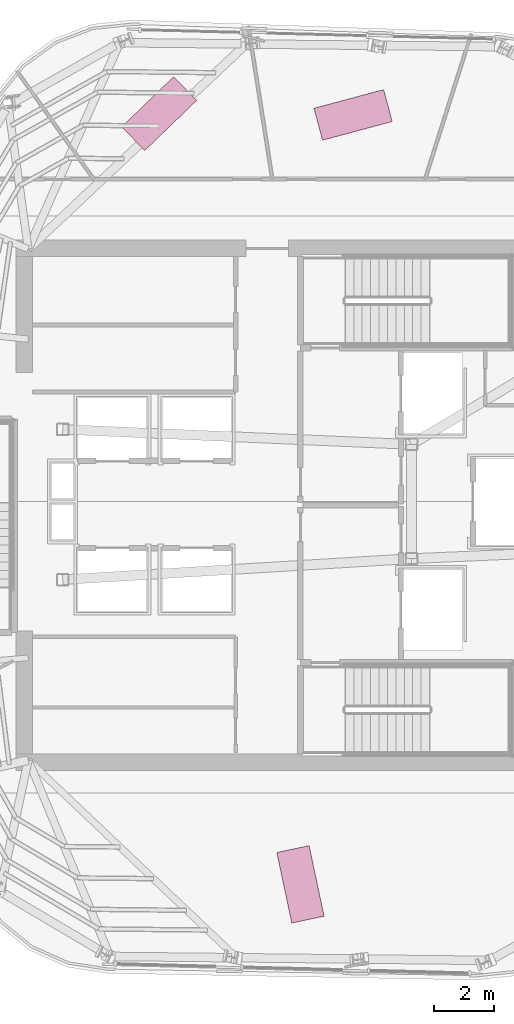
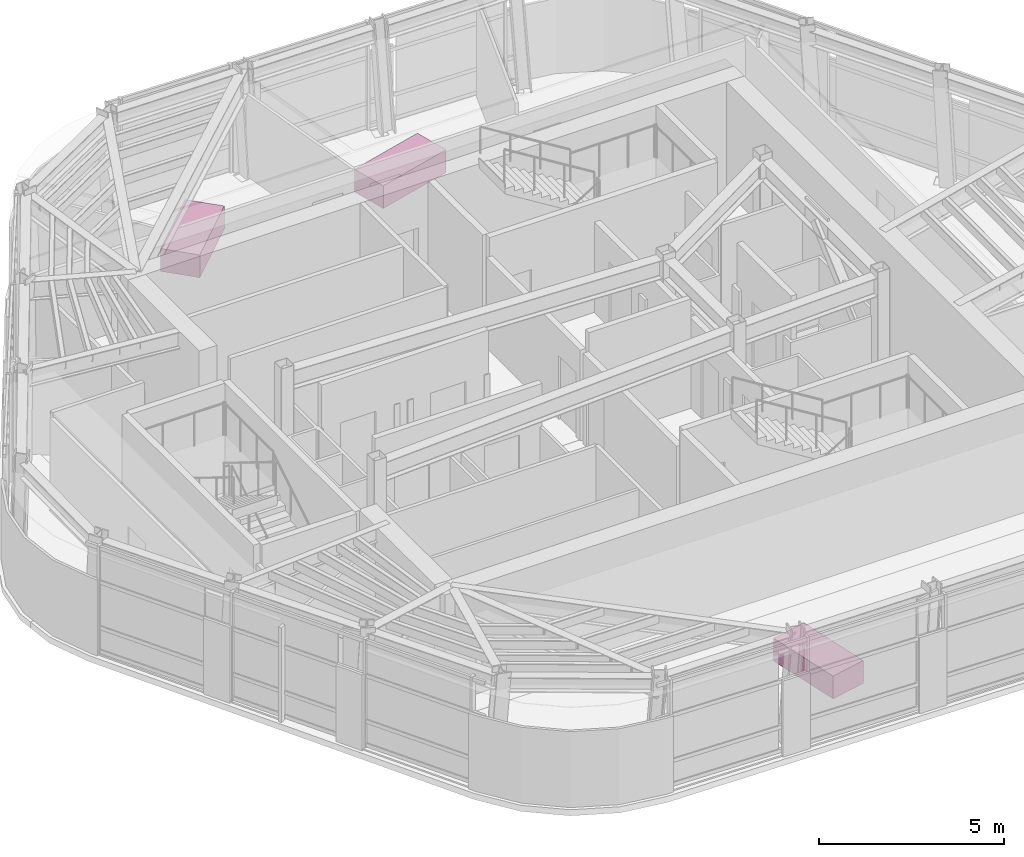
# One storey, part 13 of 13: 3 furniture elements.
"""IFC4 building model written with IfcOpenShell, lengths in metres."""

from ifc_helpers import new_model, si_unit, direction, frame, origin, origin_2d, place, context, subcontext, project, spatial, rectangle, extrude, material, type_object, element, save


model = new_model("IFC4")

# Units and contexts
model_context = context("Model", 3, precision=1e-05, world=origin(), true_north=direction((0.0, 1.0)))
body_context = subcontext(model_context, "Body", "Model", "MODEL_VIEW")
ifc_project = project(units=[si_unit("LENGTHUNIT", "METRE"), si_unit("AREAUNIT", "SQUARE_METRE"), si_unit("VOLUMEUNIT", "CUBIC_METRE"), si_unit("PLANEANGLEUNIT", "RADIAN"), si_unit("MASSUNIT", "GRAM", prefix="KILO")], contexts=[model_context])

# Site, building, storey
site_placement = place(None, origin())
site = spatial("IfcSite", under=ifc_project, at=site_placement, CompositionType="ELEMENT")
building_placement = place(site_placement, origin())
building = spatial("IfcBuilding", under=site, at=building_placement, Name="Valkerne Bourse Tower", CompositionType="ELEMENT")
storey_placement = place(building_placement, frame((0.0, 0.0, 277.39990234375)))
storey = spatial("IfcBuildingStorey", under=building, at=storey_placement, Name="L70", CompositionType="ELEMENT", Elevation=277.39990234375)

# Furniture
ifc_material = material(Name="Architectural White Oak Timber", Category="wood")
furniture_type = type_object("IfcFurnitureType", Name="FURN-DESK-2400", AssemblyPlace="NOTDEFINED", PredefinedType="DESK", material=ifc_material)
for number, where, z_axis, x_axis, name in (
    (1, (48.406982421875, 39.861083984375, 0.045166015625), (0.0, 0.0, 1.0), (0.965925826289, 0.258819045103, 0.0), "L70 Suite Worktable 05"),
    (2, (41.9560546875, 39.903076171875, 0.045166015625), (0.0, 0.0, 1.0), (0.719339800339, 0.694658370459, 0.0), "L70 Suite Worktable 06"),
    (3, (46.656005859375, 14.26611328125, 0.045166015625), (0.0, 0.0, 1.0), (-0.207911690818, 0.978147600734, 0.0), "L70 Suite Worktable 08"),
):
    element("IfcFurniture", number, at=place(storey_placement, frame(where, z_axis=z_axis, x_axis=x_axis)), inside=storey, type_object=furniture_type, Name=name, PredefinedType="DESK", context=body_context, shape_type="SweptSolid", body=[
        extrude(rectangle(XDim=2.39990234375, YDim=1.10009765625, at=origin_2d()), origin(), (0.0, 0.0, 1.0), 0.75),
    ])

save(model, "model.ifc")
